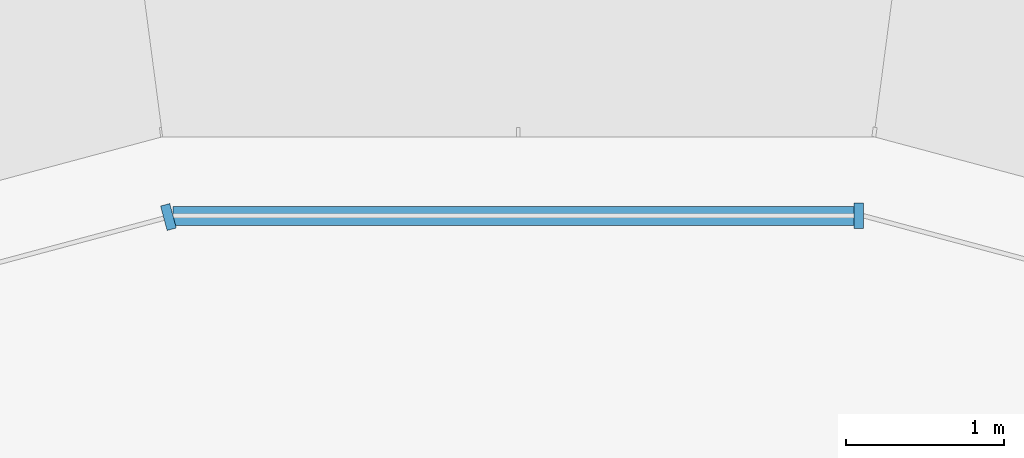
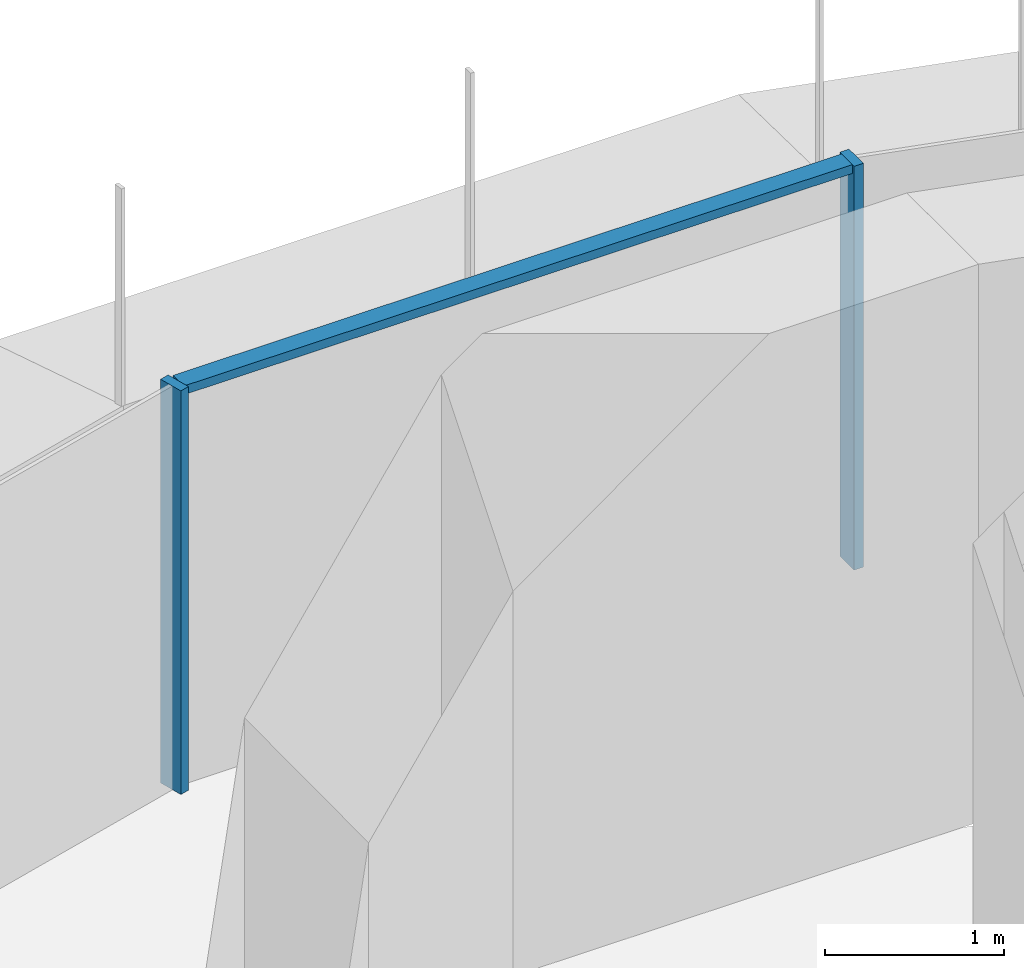
# One storey, part 11 of 22: 3 members, 2 elements without a shape of their own.
"""IFC4 building model written with IfcOpenShell, lengths in metres."""

from ifc_helpers import new_model, si_unit, direction, frame, origin, place, context, subcontext, project, spatial, polyline, outline, extrude, source, transform, mapped, material, type_object, element, aggregate, save


model = new_model("IFC4")

# Units and contexts
model_context = context("Model", 3, precision=1e-05, world=origin(), true_north=direction((0.0, 1.0)))
body_context = subcontext(model_context, "Body", "Model", "MODEL_VIEW")
ifc_project = project(units=[si_unit("LENGTHUNIT", "METRE"), si_unit("AREAUNIT", "SQUARE_METRE"), si_unit("VOLUMEUNIT", "CUBIC_METRE"), si_unit("PLANEANGLEUNIT", "RADIAN"), si_unit("MASSUNIT", "GRAM", prefix="KILO")], contexts=[model_context])

# Site, building, storey
site_placement = place(None, origin())
site = spatial("IfcSite", under=ifc_project, at=site_placement, CompositionType="ELEMENT")
building_placement = place(site_placement, origin())
building = spatial("IfcBuilding", under=site, at=building_placement, Name="Zarbagh Exchange Tower", CompositionType="ELEMENT")
storey_placement = place(building_placement, frame((0.0, 0.0, 101.800048828125)))
storey = spatial("IfcBuildingStorey", under=building, at=storey_placement, Name="L23", CompositionType="ELEMENT", Elevation=101.800048828125)

# Curtain wall, member
ifc_material_1 = material(Name="Anodised aluminium frame and glazing", Category="aluminium")
curtain_wall_type = type_object("IfcCurtainWallType", Name="CWA Ribbon glazing, lower zones", PredefinedType="NOTDEFINED", material=ifc_material_1)
curtain_wall_1_placement = place(storey_placement, origin())
curtain_wall_1 = element("IfcCurtainWall", 1, at=curtain_wall_1_placement, inside=storey, type_object=curtain_wall_type, Name="CWA57 curtain wall", PredefinedType="NOTDEFINED")
ifc_material_2 = material(Name="Anodised aluminium frame", Category="aluminium")
member_type_1 = type_object("IfcMemberType", Name="MUA Mullion, anodised aluminium frame", PredefinedType="MULLION", material=ifc_material_2)
shared_shape_1 = source(origin(), body_context, "Body", "SweptSolid", [
    extrude(outline(polyline([(0.0, -0.080078125), (0.06005859375, -0.080078125), (0.06005859375, 0.080078125), (0.0, 0.080078125), (0.0, -0.080078125)])), origin(), (0.0, 0.0, 1.0), 2.75),
])
placement = place(storey_placement, origin())
member_1 = element("IfcMember", 2, at=placement, type_object=member_type_1, Name="CWA57 mullion 1.1", PredefinedType="MULLION", context=body_context, shape_type="MappedRepresentation", body=[
    mapped(shared_shape_1, transform((2.18408203125, 31.0, 0.0), x_axis=(-1.0, 0.0, 0.0), y_axis=(0.0, -1.0, 0.0), z_axis=(0.0, 0.0, 1.0))),
])

curtain_wall_2_placement = place(storey_placement, origin())
curtain_wall_2 = element("IfcCurtainWall", 3, at=curtain_wall_2_placement, inside=storey, type_object=curtain_wall_type, Name="CWA53 curtain wall", PredefinedType="NOTDEFINED")
member_2 = element("IfcMember", 4, at=placement, type_object=member_type_1, Name="CWA53 mullion 1.1", PredefinedType="MULLION", context=body_context, shape_type="MappedRepresentation", body=[
    mapped(shared_shape_1, transform((-2.18408203125, 31.0, 0.0), x_axis=(-0.965924289636, -0.258824779902, 0.0), y_axis=(0.258824779902, -0.965924289636, 0.0), z_axis=(0.0, 0.0, 1.0))),
])
aggregate(curtain_wall_2, [member_2])

# Member
member_type_2 = type_object("IfcMemberType", Name="TRA Transom, anodised aluminium frame", PredefinedType="USERDEFINED", material=ifc_material_2)
shared_shape_2 = source(origin(), body_context, "Body", "SweptSolid", [
    extrude(outline(polyline([(-0.06005859375, -0.06005859375), (0.0, -0.06005859375), (0.0, 0.06005859375), (-0.06005859375, 0.06005859375), (-0.06005859375, -0.06005859375)])), origin(), (0.0, 0.0, 1.0), 4.308349609375),
])
member_3 = element("IfcMember", 5, at=placement, type_object=member_type_2, Name="CWA57 transom 1.1", ObjectType="TRANSOM", PredefinedType="USERDEFINED", context=body_context, shape_type="MappedRepresentation", body=[
    mapped(shared_shape_2, transform((2.124267578125, 31.0, 2.75), x_axis=(0.0, 0.0, 1.0), y_axis=(0.0, 1.0, 0.0), z_axis=(-1.0, 0.0, 0.0))),
])

aggregate(curtain_wall_1, [member_1, member_3])

save(model, "model.ifc")
